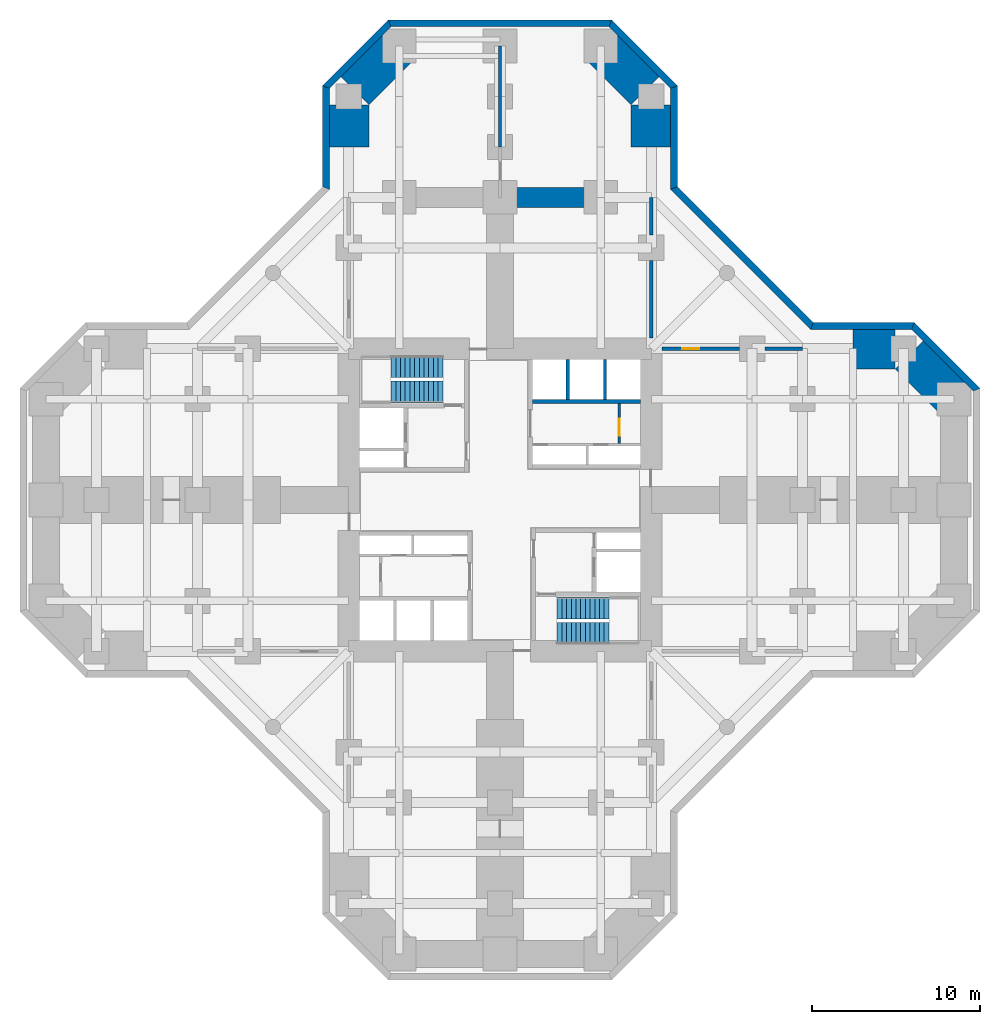
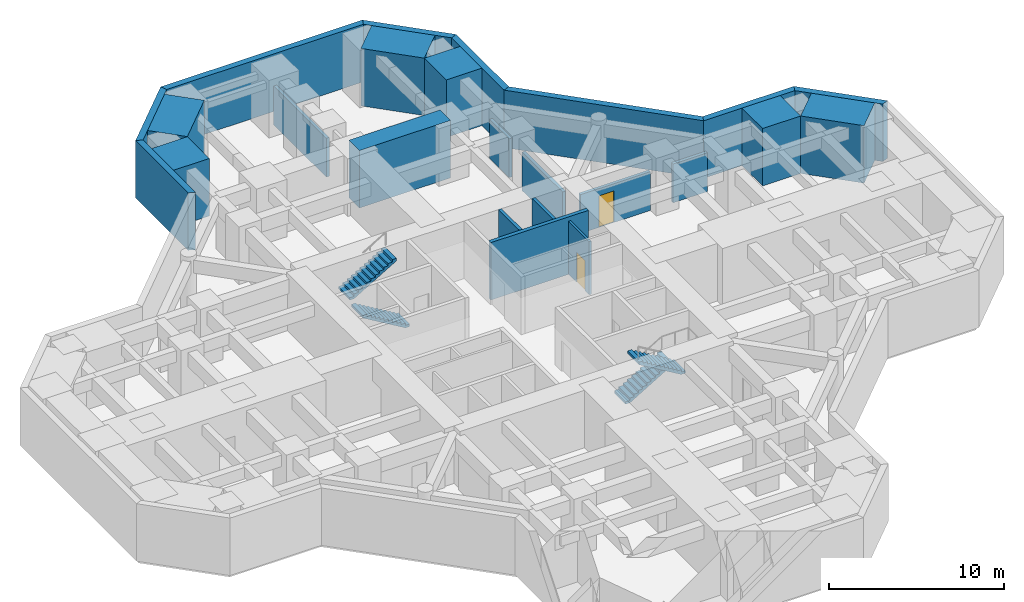
# One storey, part 5 of 6: 24 walls, 4 stair flights, 2 doors, 2 openings, 2 elements without a shape of their own.
"""IFC4 building model written with IfcOpenShell, lengths in metres."""

from ifc_helpers import new_model, si_unit, direction, frame, frame_2d, origin, place, context, subcontext, project, spatial, polyline, rectangle, outline, extrude, material, layer, layer_set, constituent, constituent_set, type_object, element, fill, aggregate, save


model = new_model("IFC4")

# Units and contexts
model_context = context("Model", 3, precision=1e-05, world=origin(), true_north=direction((0.0, 1.0)))
body_context = subcontext(model_context, "Body", "Model", "MODEL_VIEW")
ifc_project = project(units=[si_unit("LENGTHUNIT", "METRE"), si_unit("AREAUNIT", "SQUARE_METRE"), si_unit("VOLUMEUNIT", "CUBIC_METRE"), si_unit("PLANEANGLEUNIT", "RADIAN"), si_unit("MASSUNIT", "GRAM", prefix="KILO")], contexts=[model_context])

# Site, building, storey
site_placement = place(None, origin())
site = spatial("IfcSite", under=ifc_project, at=site_placement, CompositionType="ELEMENT")
building_placement = place(site_placement, origin())
building = spatial("IfcBuilding", under=site, at=building_placement, Name="Torre Cruceta", CompositionType="ELEMENT")
storey_placement = place(building_placement, frame((0.0, 0.0, -4.0)))
storey = spatial("IfcBuildingStorey", under=building, at=storey_placement, Name="B01", CompositionType="ELEMENT", Elevation=-4.0)

# Walls
ifc_material_1 = material(Name="Concrete G60 (fck 60 MPa)", Category="concrete")
ifc_layer_1 = layer(ifc_material_1, 2.39990234375)
ifc_layer_set_1 = layer_set([ifc_layer_1], Name="Concrete G60 (fck 60 MPa)")
wall_type_1 = type_object("IfcWallType", Name="BASEMENT ARM WALL 2400 G60", PredefinedType="SHEAR", material=ifc_layer_set_1)
wall_1_placement = place(storey_placement, frame((-9.0, 21.0, 0.0), z_axis=(0.0, 0.0, 1.0), x_axis=(0.0, 1.0, 0.0)))
element("IfcWall", 1, at=wall_1_placement, inside=storey, type_object=wall_type_1, Name="BW1 basement arm wall B01 N L1", PredefinedType="SHEAR", context=body_context, shape_type="SweptSolid", body=[
    extrude(rectangle(XDim=2.5029296875, YDim=2.39990234375, at=frame_2d((1.25146484375, 0.0))), origin(), (0.0, 0.0, 1.0), 4.0),
])
wall_2_placement = place(storey_placement, frame((-8.6484375, 24.3515625, 0.0), z_axis=(0.0, 0.0, 1.0), x_axis=(0.707106781187, 0.707106781187, 0.0)))
element("IfcWall", 2, at=wall_2_placement, inside=storey, type_object=wall_type_1, Name="BW1 basement arm wall B01 N L2", PredefinedType="SHEAR", context=body_context, shape_type="SweptSolid", body=[
    extrude(rectangle(XDim=3.745361328125, YDim=2.39990234375, at=frame_2d((1.87255859375, 0.0))), origin(), (0.0, 0.0, 1.0), 4.0),
])
wall_3_placement = place(storey_placement, frame((9.0, 21.0, 0.0), z_axis=(0.0, 0.0, 1.0), x_axis=(0.0, 1.0, 0.0)))
element("IfcWall", 3, at=wall_3_placement, inside=storey, type_object=wall_type_1, Name="BW1 basement arm wall B01 N R1", PredefinedType="SHEAR", context=body_context, shape_type="SweptSolid", body=[
    extrude(rectangle(XDim=2.5029296875, YDim=2.39990234375, at=frame_2d((1.25146484375, 0.0))), origin(), (0.0, 0.0, 1.0), 4.0),
])
wall_4_placement = place(storey_placement, frame((8.6484375, 24.3515625, 0.0), z_axis=(0.0, 0.0, 1.0), x_axis=(-0.707106781187, 0.707106781187, 0.0)))
element("IfcWall", 4, at=wall_4_placement, inside=storey, type_object=wall_type_1, Name="BW1 basement arm wall B01 N R2", PredefinedType="SHEAR", context=body_context, shape_type="SweptSolid", body=[
    extrude(rectangle(XDim=3.745361328125, YDim=2.39990234375, at=frame_2d((1.87255859375, 0.0))), origin(), (0.0, 0.0, 1.0), 4.0),
])
wall_5_placement = place(storey_placement, frame((21.0, 9.0, 0.0), z_axis=(0.0, 0.0, 1.0), x_axis=(1.0, 0.0, 0.0)))
element("IfcWall", 5, at=wall_5_placement, inside=storey, type_object=wall_type_1, Name="BW1 basement arm wall B01 E L1", PredefinedType="SHEAR", context=body_context, shape_type="SweptSolid", body=[
    extrude(rectangle(XDim=2.5029296875, YDim=2.39990234375, at=frame_2d((1.25146484375, 0.0))), origin(), (0.0, 0.0, 1.0), 4.0),
])
wall_6_placement = place(storey_placement, frame((24.3515625, 8.6484375, 0.0), z_axis=(0.0, 0.0, 1.0), x_axis=(0.707106781187, -0.707106781187, 0.0)))
element("IfcWall", 6, at=wall_6_placement, inside=storey, type_object=wall_type_1, Name="BW1 basement arm wall B01 E L2", PredefinedType="SHEAR", context=body_context, shape_type="SweptSolid", body=[
    extrude(rectangle(XDim=3.745361328125, YDim=2.39990234375, at=frame_2d((1.87255859375, 0.0))), origin(), (0.0, 0.0, 1.0), 4.0),
])
ifc_material_2 = material(Name="Concrete G45 (fck 45 MPa)", Category="concrete")
ifc_layer_2 = layer(ifc_material_2, 0.39990234375)
ifc_layer_set_2 = layer_set([ifc_layer_2], Name="Concrete G45 (fck 45 MPa)")
wall_type_2 = type_object("IfcWallType", Name="BASEMENT RETAINING WALL 400", PredefinedType="SOLIDWALL", material=ifc_layer_set_2)
wall_7_placement = place(storey_placement, origin())
element("IfcWall", 7, at=wall_7_placement, inside=storey, type_object=wall_type_2, Name="Retaining wall RW1 B01-14", PredefinedType="SOLIDWALL", context=body_context, shape_type="SweptSolid", body=[
    extrude(outline(polyline([(-10.14990234375, 18.476318359375), (-10.550048828125, 18.64208984375), (-10.550048828125, 24.64208984375), (-10.14990234375, 24.476318359375), (-10.14990234375, 18.476318359375)])), origin(), (0.0, 0.0, 1.0), 4.0),
])
wall_8_placement = place(storey_placement, origin())
element("IfcWall", 8, at=wall_8_placement, inside=storey, type_object=wall_type_2, Name="Retaining wall RW1 B01-15", PredefinedType="SOLIDWALL", context=body_context, shape_type="SweptSolid", body=[
    extrude(outline(polyline([(-10.14990234375, 24.476318359375), (-10.550048828125, 24.64208984375), (-6.64208984375, 28.550048828125), (-6.476318359375, 28.14990234375), (-10.14990234375, 24.476318359375)])), origin(), (0.0, 0.0, 1.0), 4.0),
])
wall_9_placement = place(storey_placement, origin())
element("IfcWall", 9, at=wall_9_placement, inside=storey, type_object=wall_type_2, Name="Retaining wall RW1 B01-16", PredefinedType="SOLIDWALL", context=body_context, shape_type="SweptSolid", body=[
    extrude(outline(polyline([(-6.476318359375, 28.14990234375), (-6.64208984375, 28.550048828125), (6.64208984375, 28.550048828125), (6.476318359375, 28.14990234375), (-6.476318359375, 28.14990234375)])), origin(), (0.0, 0.0, 1.0), 4.0),
])
wall_10_placement = place(storey_placement, origin())
element("IfcWall", 10, at=wall_10_placement, inside=storey, type_object=wall_type_2, Name="Retaining wall RW1 B01-17", PredefinedType="SOLIDWALL", context=body_context, shape_type="SweptSolid", body=[
    extrude(outline(polyline([(6.476318359375, 28.14990234375), (6.64208984375, 28.550048828125), (10.550048828125, 24.64208984375), (10.14990234375, 24.476318359375), (6.476318359375, 28.14990234375)])), origin(), (0.0, 0.0, 1.0), 4.0),
])
wall_11_placement = place(storey_placement, origin())
element("IfcWall", 11, at=wall_11_placement, inside=storey, type_object=wall_type_2, Name="Retaining wall RW1 B01-18", PredefinedType="SOLIDWALL", context=body_context, shape_type="SweptSolid", body=[
    extrude(outline(polyline([(10.14990234375, 24.476318359375), (10.550048828125, 24.64208984375), (10.550048828125, 18.64208984375), (10.14990234375, 18.476318359375), (10.14990234375, 24.476318359375)])), origin(), (0.0, 0.0, 1.0), 4.0),
])
wall_12_placement = place(storey_placement, origin())
element("IfcWall", 12, at=wall_12_placement, inside=storey, type_object=wall_type_2, Name="Retaining wall RW1 B01-19", PredefinedType="SOLIDWALL", context=body_context, shape_type="SweptSolid", body=[
    extrude(outline(polyline([(10.14990234375, 18.476318359375), (10.550048828125, 18.64208984375), (18.64208984375, 10.550048828125), (18.476318359375, 10.14990234375), (10.14990234375, 18.476318359375)])), origin(), (0.0, 0.0, 1.0), 4.0),
])
wall_13_placement = place(storey_placement, origin())
element("IfcWall", 13, at=wall_13_placement, inside=storey, type_object=wall_type_2, Name="Retaining wall RW1 B01-20", PredefinedType="SOLIDWALL", context=body_context, shape_type="SweptSolid", body=[
    extrude(outline(polyline([(18.476318359375, 10.14990234375), (18.64208984375, 10.550048828125), (24.64208984375, 10.550048828125), (24.476318359375, 10.14990234375), (18.476318359375, 10.14990234375)])), origin(), (0.0, 0.0, 1.0), 4.0),
])
wall_14_placement = place(storey_placement, origin())
element("IfcWall", 14, at=wall_14_placement, inside=storey, type_object=wall_type_2, Name="Retaining wall RW1 B01-21", PredefinedType="SOLIDWALL", context=body_context, shape_type="SweptSolid", body=[
    extrude(outline(polyline([(24.476318359375, 10.14990234375), (24.64208984375, 10.550048828125), (28.550048828125, 6.64208984375), (28.14990234375, 6.476318359375), (24.476318359375, 10.14990234375)])), origin(), (0.0, 0.0, 1.0), 4.0),
])
ifc_material_3 = material(Name="Concrete G60 (fck 60 MPa)", Category="concrete")
ifc_layer_3 = layer(ifc_material_3, 0.25)
ifc_layer_set_3 = layer_set([ifc_layer_3], Name="Concrete G60 (fck 60 MPa)")
wall_type_3 = type_object("IfcWallType", Name="CORE INNER WALL 250 G60", PredefinedType="SHEAR", material=ifc_layer_set_3)
wall_15_placement = place(storey_placement, frame((1.925048828125, 5.85009765625, 0.0), z_axis=(0.0, 0.0, 1.0), x_axis=(1.0, 0.0, 0.0)))
element("IfcWall", 15, at=wall_15_placement, inside=storey, type_object=wall_type_3, Name="CW4 B01 NE-LV", PredefinedType="SHEAR", context=body_context, shape_type="SweptSolid", body=[
    extrude(rectangle(XDim=6.425048828125, YDim=0.25, at=frame_2d((3.21240234375, 0.0))), origin(), (0.0, 0.0, 1.0), 4.0),
])
ifc_material_4 = material(Name="Concrete G25 (fck 25 MPa)", Category="concrete")
ifc_layer_4 = layer(ifc_material_4, 0.199951171875)
ifc_layer_set_4 = layer_set([ifc_layer_4], Name="Concrete G25 (fck 25 MPa)")
wall_type_4 = type_object("IfcWallType", Name="CORRIDOR WALL 200", PredefinedType="SOLIDWALL", material=ifc_layer_set_4)
wall_16_placement = place(storey_placement, frame((0.0, 21.0, 0.0), z_axis=(0.0, 0.0, 1.0), x_axis=(0.0, 1.0, 0.0)))
element("IfcWall", 16, at=wall_16_placement, inside=storey, type_object=wall_type_4, Name="PT3 spine line B01 N 2", PredefinedType="SOLIDWALL", context=body_context, shape_type="SweptSolid", body=[
    extrude(rectangle(XDim=6.0, YDim=0.199951171875, at=frame_2d((3.0, 0.0))), origin(), (0.0, 0.0, 1.0), 2.699951171875),
])
ifc_material_5 = material(Name="Concrete G60 (fck 60 MPa)", Category="concrete")
ifc_layer_5 = layer(ifc_material_5, 1.199951171875)
ifc_layer_set_5 = layer_set([ifc_layer_5], Name="Concrete G60 (fck 60 MPa)")
wall_type_5 = type_object("IfcWallType", Name="CROSS WALL 1200 G60", PredefinedType="SHEAR", material=ifc_layer_set_5)
wall_17_placement = place(storey_placement, frame((0.0, 18.0, 0.0), z_axis=(0.0, 0.0, 1.0), x_axis=(1.0, 0.0, 0.0)))
element("IfcWall", 17, at=wall_17_placement, inside=storey, type_object=wall_type_5, Name="XW1 cross wall B01 N R", PredefinedType="SHEAR", context=body_context, shape_type="SweptSolid", body=[
    extrude(rectangle(XDim=6.0, YDim=1.199951171875, at=frame_2d((3.0, 0.0))), origin(), (0.0, 0.0, 1.0), 4.0),
])
ifc_material_6 = material(Name="Concrete G35 (fck 35 MPa)", Category="concrete")
ifc_layer_6 = layer(ifc_material_6, 0.199951171875)
ifc_layer_set_6 = layer_set([ifc_layer_6], Name="Concrete G35 (fck 35 MPa)")
wall_type_6 = type_object("IfcWallType", Name="LIFT SHAFT WALL 200", PredefinedType="PARTITIONING", material=ifc_layer_set_6)
for number, where, z_axis, x_axis, name in (
    (18, (4.033447265625, 5.97509765625, 0.0), (0.0, 0.0, 1.0), (0.0, 1.0, 0.0), "SW1 B01 NE-LS1"),
    (19, (6.24169921875, 5.97509765625, 0.0), (0.0, 0.0, 1.0), (0.0, 1.0, 0.0), "SW1 B01 NE-LS2"),
):
    element("IfcWall", number, at=place(storey_placement, frame(where, z_axis=z_axis, x_axis=x_axis)), inside=storey, type_object=wall_type_6, Name=name, PredefinedType="PARTITIONING", context=body_context, shape_type="SweptSolid", body=[
        extrude(rectangle(XDim=2.375, YDim=0.199951171875, at=frame_2d((1.1875, 0.0))), origin(), (0.0, 0.0, 1.0), 4.0),
    ])

# Wall, opening, door
ifc_material_7 = material(Name="Plasterboard on steel studs", Category="steel")
ifc_layer_7 = layer(ifc_material_7, 0.14990234375)
ifc_layer_set_7 = layer_set([ifc_layer_7], Name="Plasterboard on steel studs")
wall_type_7 = type_object("IfcWallType", Name="PARTITION 150", PredefinedType="PARTITIONING", material=ifc_layer_set_7)
wall_18_placement = place(storey_placement, frame((7.10009765625, 3.375, 0.0), z_axis=(0.0, 0.0, 1.0), x_axis=(0.0, 1.0, 0.0)))
wall_18 = element("IfcWall", 20, at=wall_18_placement, inside=storey, type_object=wall_type_7, Name="PT1 B01-CORE-NE-X", PredefinedType="PARTITIONING", context=body_context, shape_type="SweptSolid", body=[
    extrude(rectangle(XDim=2.35009765625, YDim=0.14990234375, at=frame_2d((1.175048828125, 0.0))), origin(), (0.0, 0.0, 1.0), 3.699951171875),
])
opening_1_placement = place(wall_18_placement, frame((0.449951171875, 0.0, 0.0)))
opening_1 = element("IfcOpeningElement", 21, at=opening_1_placement, cuts=wall_18, Name="Opening D3", PredefinedType="OPENING", context=body_context, shape_type="SweptSolid", body=[
    extrude(rectangle(XDim=1.0, YDim=2.10009765625, at=frame_2d((0.5, 1.050048828125))), frame((0.0, 0.0849609375, 0.0), z_axis=(0.0, -1.0, 0.0), x_axis=(1.0, 0.0, 0.0)), (0.0, 0.0, 1.0), 0.169921875),
])
ifc_material_8 = material(Name="Steel DX51D", Category="steel")
ifc_constituent_1 = constituent(ifc_material_8, Name="Leaf and frame")
ifc_material_9 = material(Name="Polyester powder coating", Category="paint")
ifc_constituent_2 = constituent(ifc_material_9, Name="Finish")
ifc_constituent_set_1 = constituent_set(constituents=[ifc_constituent_1, ifc_constituent_2], Name="Steel fire door")
door_type_1 = type_object("IfcDoorType", Name="FIRE DOOR 1000X2100", OperationType="SINGLE_SWING_LEFT", PredefinedType="DOOR", material=ifc_constituent_set_1)
door_1_placement = place(opening_1_placement, frame((1.0, 0.0, 0.0), z_axis=(0.0, 0.0, 1.0), x_axis=(-1.0, 0.0, 0.0)))
door_1 = element("IfcDoor", 22, at=door_1_placement, inside=storey, type_object=door_type_1, Name="D3 B01-CORE-NE-X-D1", OperationType="SINGLE_SWING_RIGHT", OverallHeight=2.10009765625, OverallWidth=1.0, PredefinedType="DOOR", context=body_context, shape_type="SweptSolid", body=[
    extrude(rectangle(XDim=1.0, YDim=2.10009765625, at=frame_2d((0.5, 1.050048828125))), frame((0.0, 0.025146484375, 0.0), z_axis=(0.0, -1.0, 0.0), x_axis=(1.0, 0.0, 0.0)), (0.0, 0.0, 1.0), 0.050048828125),
])
fill(opening_1, door_1)

ifc_material_10 = material(Name="Concrete G25 (fck 25 MPa)", Category="concrete")
ifc_layer_8 = layer(ifc_material_10, 0.199951171875)
ifc_layer_set_8 = layer_set([ifc_layer_8], Name="Concrete G25 (fck 25 MPa)")
wall_type_8 = type_object("IfcWallType", Name="WING SEPARATING WALL 200", PredefinedType="SOLIDWALL", material=ifc_layer_set_8)
wall_19_placement = place(storey_placement, frame((9.64990234375, 9.0, 0.0), z_axis=(0.0, 0.0, 1.0), x_axis=(1.0, 0.0, 0.0)))
wall_19 = element("IfcWall", 23, at=wall_19_placement, inside=storey, type_object=wall_type_8, Name="PT6 B01-WING-E-A1", PredefinedType="SOLIDWALL", context=body_context, shape_type="SweptSolid", body=[
    extrude(rectangle(XDim=4.60009765625, YDim=0.199951171875, at=frame_2d((2.300048828125, 0.0))), origin(), (0.0, 0.0, 1.0), 2.699951171875),
])
opening_2_placement = place(wall_19_placement, frame((1.199951171875, 0.0, 0.0)))
opening_2 = element("IfcOpeningElement", 24, at=opening_2_placement, cuts=wall_19, Name="Opening D14", PredefinedType="OPENING", context=body_context, shape_type="SweptSolid", body=[
    extrude(rectangle(XDim=1.0, YDim=2.199951171875, at=frame_2d((0.5, 1.10009765625))), frame((0.0, 0.10986328125, 0.0), z_axis=(0.0, -1.0, 0.0), x_axis=(1.0, 0.0, 0.0)), (0.0, 0.0, 1.0), 0.219970703125),
])
ifc_material_11 = material(Name="Steel DX51D", Category="steel")
ifc_constituent_3 = constituent(ifc_material_11, Name="Leaf and frame")
ifc_material_12 = material(Name="Polyester powder coating", Category="paint")
ifc_constituent_4 = constituent(ifc_material_12, Name="Finish")
ifc_material_13 = material(Name="Fire-resisting glass", Category="glass")
ifc_constituent_5 = constituent(ifc_material_13, Name="Vision panel")
ifc_constituent_set_2 = constituent_set(constituents=[ifc_constituent_3, ifc_constituent_4, ifc_constituent_5], Name="Steel fire door with vision panel")
door_type_2 = type_object("IfcDoorType", Name="FIRE DOOR VISION PANEL 1000X2200", OperationType="SINGLE_SWING_RIGHT", PredefinedType="DOOR", material=ifc_constituent_set_2)
door_2_placement = place(opening_2_placement, origin())
door_2 = element("IfcDoor", 25, at=door_2_placement, inside=storey, type_object=door_type_2, Name="D14 B01-WING-E-A1-D1", OperationType="SINGLE_SWING_LEFT", OverallHeight=2.199951171875, OverallWidth=1.0, PredefinedType="DOOR", context=body_context, shape_type="SweptSolid", body=[
    extrude(rectangle(XDim=1.0, YDim=2.199951171875, at=frame_2d((0.5, 1.10009765625))), frame((0.0, 0.02490234375, 0.0), z_axis=(0.0, -1.0, 0.0), x_axis=(1.0, 0.0, 0.0)), (0.0, 0.0, 1.0), 0.050048828125),
])
fill(opening_2, door_2)

# Walls
wall_20_placement = place(storey_placement, frame((15.75, 9.0, 0.0), z_axis=(0.0, 0.0, 1.0), x_axis=(1.0, 0.0, 0.0)))
element("IfcWall", 26, at=wall_20_placement, inside=storey, type_object=wall_type_8, Name="PT6 B01-WING-E-A2", PredefinedType="SOLIDWALL", context=body_context, shape_type="SweptSolid", body=[
    extrude(rectangle(XDim=2.25, YDim=0.199951171875, at=frame_2d((1.125, 0.0))), origin(), (0.0, 0.0, 1.0), 2.699951171875),
])
wall_21_placement = place(storey_placement, frame((9.0, 14.25, 0.0), z_axis=(0.0, 0.0, 1.0), x_axis=(0.0, -1.0, 0.0)))
element("IfcWall", 27, at=wall_21_placement, inside=storey, type_object=wall_type_8, Name="PT6 B01-WING-E-B1", PredefinedType="SOLIDWALL", context=body_context, shape_type="SweptSolid", body=[
    extrude(rectangle(XDim=4.60009765625, YDim=0.199951171875, at=frame_2d((2.300048828125, 0.0))), origin(), (0.0, 0.0, 1.0), 2.699951171875),
])
wall_22_placement = place(storey_placement, frame((9.0, 18.0, 0.0), z_axis=(0.0, 0.0, 1.0), x_axis=(0.0, -1.0, 0.0)))
element("IfcWall", 28, at=wall_22_placement, inside=storey, type_object=wall_type_8, Name="PT6 B01-WING-E-B2", PredefinedType="SOLIDWALL", context=body_context, shape_type="SweptSolid", body=[
    extrude(rectangle(XDim=2.25, YDim=0.199951171875, at=frame_2d((1.125, 0.0))), origin(), (0.0, 0.0, 1.0), 2.699951171875),
])

# Stair, stair flights
ifc_material_14 = material(Name="Concrete G30 (fck 30 MPa)", Category="concrete")
stair_type = type_object("IfcStairType", Name="STAIR HALF-TURN 1300", PredefinedType="HALF_TURN_STAIR", material=ifc_material_14)
stair_1_placement = place(storey_placement, origin())
stair_1 = element("IfcStair", 29, at=stair_1_placement, inside=storey, type_object=stair_type, Name="Stair ST1 B01", PredefinedType="HALF_TURN_STAIR")
ifc_material_15 = material(Name="Concrete G30 (fck 30 MPa)", Category="concrete")
stair_flight_type = type_object("IfcStairFlightType", Name="STAIR FLIGHT 1300", PredefinedType="STRAIGHT", material=ifc_material_15)
stair_flight_1_placement = place(storey_placement, frame((-3.39990234375, 6.425048828125, 0.0), z_axis=(0.0, 0.0, 1.0), x_axis=(-1.0, 0.0, 0.0)))
stair_flight_1 = element("IfcStairFlight", 30, at=stair_flight_1_placement, type_object=stair_flight_type, Name="ST1 flight 1", NumberOfRisers=12, NumberOfTreads=11, PredefinedType="STRAIGHT", RiserHeight=0.166666667, TreadLength=0.28, context=body_context, shape_type="SweptSolid", body=[
    extrude(outline(polyline([(0.0, 0.0), (0.0, 0.166748046875), (0.280029296875, 0.166748046875), (0.280029296875, 0.333251953125), (0.56005859375, 0.333251953125), (0.56005859375, 0.5), (0.840087890625, 0.5), (0.840087890625, 0.666748046875), (1.1201171875, 0.666748046875), (1.1201171875, 0.833251953125), (1.39990234375, 0.833251953125), (1.39990234375, 1.0), (1.679931640625, 1.0), (1.679931640625, 1.166748046875), (1.9599609375, 1.166748046875), (1.9599609375, 1.333251953125), (2.239990234375, 1.333251953125), (2.239990234375, 1.5), (2.52001953125, 1.5), (2.52001953125, 1.666748046875), (2.800048828125, 1.666748046875), (2.800048828125, 1.833251953125), (3.080078125, 1.833251953125), (3.080078125, 2.0), (3.080078125, 1.658935546875), (0.29296875, 0.0), (0.0, 0.0)])), frame((0.0, 0.64990234375, 0.0), z_axis=(0.0, -1.0, 0.0), x_axis=(1.0, 0.0, 0.0)), (0.0, 0.0, 1.0), 1.300048828125),
])
stair_flight_2_placement = place(storey_placement, frame((-6.47998046875, 7.925048828125, 2.0), z_axis=(0.0, 0.0, 1.0), x_axis=(1.0, 0.0, 0.0)))
stair_flight_2 = element("IfcStairFlight", 31, at=stair_flight_2_placement, type_object=stair_flight_type, Name="ST1 flight 2", NumberOfRisers=12, NumberOfTreads=11, PredefinedType="STRAIGHT", RiserHeight=0.166666667, TreadLength=0.28, context=body_context, shape_type="SweptSolid", body=[
    extrude(outline(polyline([(0.0, 0.0), (0.0, 0.166748046875), (0.280029296875, 0.166748046875), (0.280029296875, 0.333251953125), (0.56005859375, 0.333251953125), (0.56005859375, 0.5), (0.840087890625, 0.5), (0.840087890625, 0.666748046875), (1.1201171875, 0.666748046875), (1.1201171875, 0.833251953125), (1.39990234375, 0.833251953125), (1.39990234375, 1.0), (1.679931640625, 1.0), (1.679931640625, 1.166748046875), (1.9599609375, 1.166748046875), (1.9599609375, 1.333251953125), (2.239990234375, 1.333251953125), (2.239990234375, 1.5), (2.52001953125, 1.5), (2.52001953125, 1.666748046875), (2.800048828125, 1.666748046875), (2.800048828125, 1.833251953125), (3.080078125, 1.833251953125), (3.080078125, 2.0), (3.080078125, 1.658935546875), (0.29296875, 0.0), (0.0, 0.0)])), frame((0.0, 0.64990234375, 0.0), z_axis=(0.0, -1.0, 0.0), x_axis=(1.0, 0.0, 0.0)), (0.0, 0.0, 1.0), 1.300048828125),
])
aggregate(stair_1, [stair_flight_1, stair_flight_2])

stair_2_placement = place(storey_placement, origin())
stair_2 = element("IfcStair", 32, at=stair_2_placement, inside=storey, type_object=stair_type, Name="Stair ST2 B01", PredefinedType="HALF_TURN_STAIR")
stair_flight_3_placement = place(storey_placement, frame((3.39990234375, -6.425048828125, 0.0), z_axis=(0.0, 0.0, 1.0), x_axis=(1.0, 0.0, 0.0)))
stair_flight_3 = element("IfcStairFlight", 33, at=stair_flight_3_placement, type_object=stair_flight_type, Name="ST2 flight 1", NumberOfRisers=12, NumberOfTreads=11, PredefinedType="STRAIGHT", RiserHeight=0.166666667, TreadLength=0.28, context=body_context, shape_type="SweptSolid", body=[
    extrude(outline(polyline([(0.0, 0.0), (0.0, 0.166748046875), (0.280029296875, 0.166748046875), (0.280029296875, 0.333251953125), (0.56005859375, 0.333251953125), (0.56005859375, 0.5), (0.840087890625, 0.5), (0.840087890625, 0.666748046875), (1.1201171875, 0.666748046875), (1.1201171875, 0.833251953125), (1.39990234375, 0.833251953125), (1.39990234375, 1.0), (1.679931640625, 1.0), (1.679931640625, 1.166748046875), (1.9599609375, 1.166748046875), (1.9599609375, 1.333251953125), (2.239990234375, 1.333251953125), (2.239990234375, 1.5), (2.52001953125, 1.5), (2.52001953125, 1.666748046875), (2.800048828125, 1.666748046875), (2.800048828125, 1.833251953125), (3.080078125, 1.833251953125), (3.080078125, 2.0), (3.080078125, 1.658935546875), (0.29296875, 0.0), (0.0, 0.0)])), frame((0.0, 0.64990234375, 0.0), z_axis=(0.0, -1.0, 0.0), x_axis=(1.0, 0.0, 0.0)), (0.0, 0.0, 1.0), 1.300048828125),
])
stair_flight_4_placement = place(storey_placement, frame((6.47998046875, -7.925048828125, 2.0), z_axis=(0.0, 0.0, 1.0), x_axis=(-1.0, 0.0, 0.0)))
stair_flight_4 = element("IfcStairFlight", 34, at=stair_flight_4_placement, type_object=stair_flight_type, Name="ST2 flight 2", NumberOfRisers=12, NumberOfTreads=11, PredefinedType="STRAIGHT", RiserHeight=0.166666667, TreadLength=0.28, context=body_context, shape_type="SweptSolid", body=[
    extrude(outline(polyline([(0.0, 0.0), (0.0, 0.166748046875), (0.280029296875, 0.166748046875), (0.280029296875, 0.333251953125), (0.56005859375, 0.333251953125), (0.56005859375, 0.5), (0.840087890625, 0.5), (0.840087890625, 0.666748046875), (1.1201171875, 0.666748046875), (1.1201171875, 0.833251953125), (1.39990234375, 0.833251953125), (1.39990234375, 1.0), (1.679931640625, 1.0), (1.679931640625, 1.166748046875), (1.9599609375, 1.166748046875), (1.9599609375, 1.333251953125), (2.239990234375, 1.333251953125), (2.239990234375, 1.5), (2.52001953125, 1.5), (2.52001953125, 1.666748046875), (2.800048828125, 1.666748046875), (2.800048828125, 1.833251953125), (3.080078125, 1.833251953125), (3.080078125, 2.0), (3.080078125, 1.658935546875), (0.29296875, 0.0), (0.0, 0.0)])), frame((0.0, 0.64990234375, 0.0), z_axis=(0.0, -1.0, 0.0), x_axis=(1.0, 0.0, 0.0)), (0.0, 0.0, 1.0), 1.300048828125),
])
aggregate(stair_2, [stair_flight_3, stair_flight_4])

save(model, "model.ifc")
